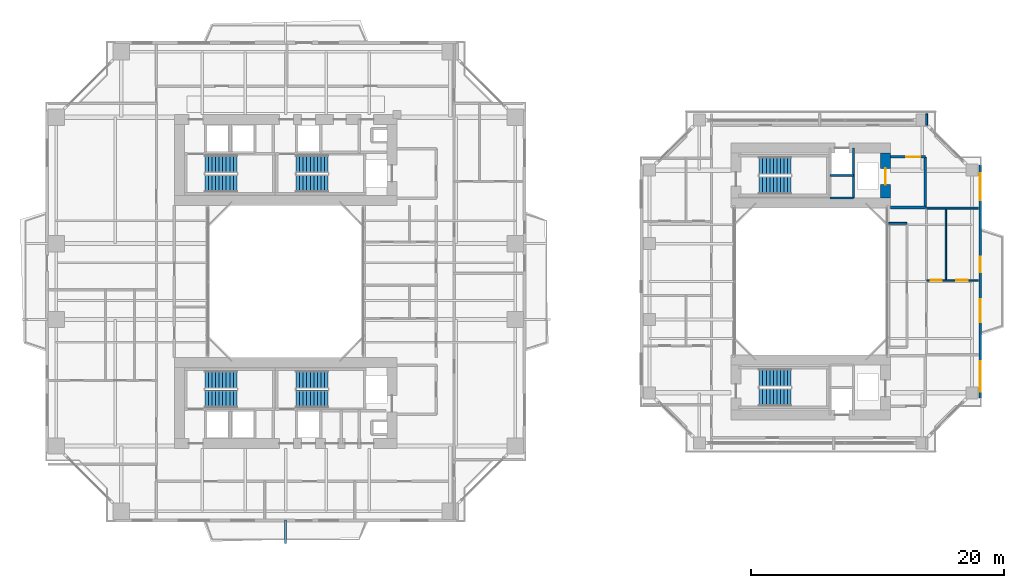
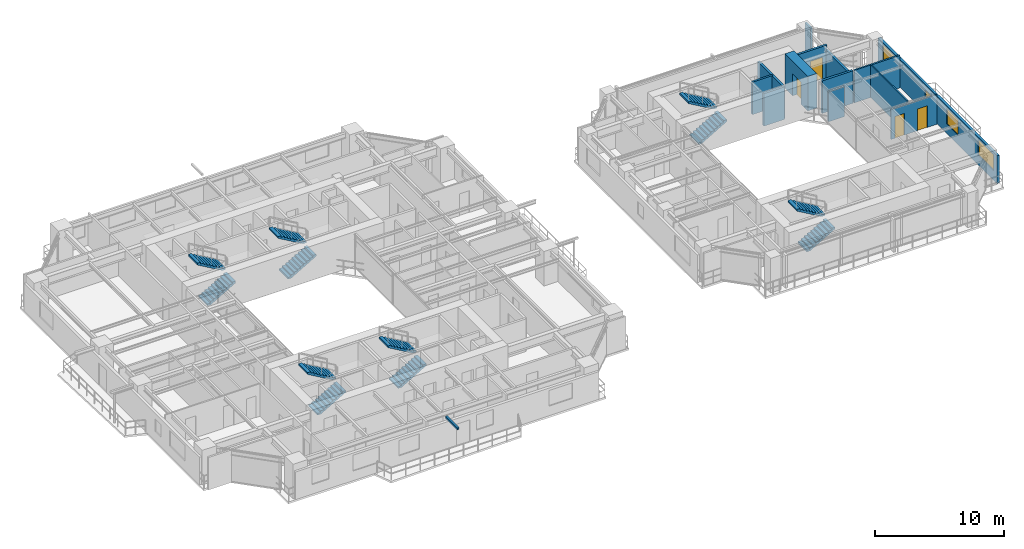
# One storey, part 18 of 23: 13 walls, 12 stair flights, 5 doors, 3 windows, 1 discrete accessory, 8 openings, 6 elements without a shape of their own.
"""IFC4 building model written with IfcOpenShell, lengths in metres."""

import ifcopenshell
import ifcopenshell.guid

model = None  # the IFC model being written
_history = None  # IfcOwnerHistory: only IFC2X3 demands one
_inside = {}  # id of a spatial element -> (the spatial element, [elements in it])
_under = {}  # id of a project, library or spatial element -> (it, [spatial elements below it])
_declared = {}  # id of a project -> (the project, [libraries it declares])
_typed = {}  # id of a type object -> (the type object, [elements of that type])
_made_of = {}  # id of a material, layer set ... -> (it, [elements and type objects made of it])


def new_model(schema):
    """Start an empty IFC model of exactly this schema.

    Asked for "IFC4X3", IfcOpenShell would pick the latest addendum, in which some entities
    have other attributes; the version numbers below select the first issue.
    IFC2X3 requires an IfcOwnerHistory on every rooted entity: one is made here for all.
    """
    global model, _history
    if schema == "IFC4X3":
        model = ifcopenshell.file(schema_version=(4, 3, 0, 0))
    else:
        model = ifcopenshell.file(schema=schema)
    _inside.clear()
    _under.clear()
    _declared.clear()
    _typed.clear()
    _made_of.clear()
    _history = None
    if model.schema == "IFC2X3":
        org = make("IfcOrganization", Name="unknown")
        user = make(
            "IfcPersonAndOrganization",
            ThePerson=make("IfcPerson", FamilyName="unknown"),
            TheOrganization=org,
        )
        app = make(
            "IfcApplication",
            ApplicationDeveloper=org,
            Version="unknown",
            ApplicationFullName="unknown",
            ApplicationIdentifier="unknown",
        )
        _history = make(
            "IfcOwnerHistory",
            OwningUser=user,
            OwningApplication=app,
            ChangeAction="ADDED",
            CreationDate=0,
        )
    return model


def make(cls, **values):
    """One entity of the class cls with the attributes given. An attribute that is None is left unset."""
    return model.create_entity(
        cls, **{name: value for name, value in values.items() if value is not None}
    )


def rooted(cls, **values):
    """An entity with a GlobalId (a new one), such as an element, a storey or a relation."""
    return make(cls, GlobalId=ifcopenshell.guid.new(), OwnerHistory=_history, **values)


def si_unit(unit_type, name, prefix=None):
    """IfcSIUnit, for example si_unit("LENGTHUNIT", "METRE", prefix="MILLI")."""
    return make("IfcSIUnit", UnitType=unit_type, Prefix=prefix, Name=name)


def assignment(units):
    """IfcUnitAssignment: the units of a project."""
    return None if units is None else make("IfcUnitAssignment", Units=units)


def point(xyz):
    """IfcCartesianPoint."""
    return None if xyz is None else make("IfcCartesianPoint", Coordinates=xyz)


def direction(xyz):
    """IfcDirection."""
    return None if xyz is None else make("IfcDirection", DirectionRatios=xyz)


def frame(location, z_axis=None, x_axis=None):
    """IfcAxis2Placement3D, a coordinate frame: its origin and axes. An axis left out is left unset."""
    return make(
        "IfcAxis2Placement3D",
        Location=point(location),
        Axis=direction(z_axis),
        RefDirection=direction(x_axis),
    )


def frame_2d(location, x_axis=None):
    """IfcAxis2Placement2D, a coordinate frame in the plane: its origin and x axis."""
    return make(
        "IfcAxis2Placement2D", Location=point(location), RefDirection=direction(x_axis)
    )


def origin():
    """The frame at (0, 0, 0) with its axes left unset."""
    return frame((0.0, 0.0, 0.0))


def origin_2d():
    """The frame at (0, 0) in the plane with its x axis left unset."""
    return frame_2d((0.0, 0.0))


def place(relative_to, where):
    """IfcLocalPlacement: puts the frame where relative to a parent placement (None: the world)."""
    return make(
        "IfcLocalPlacement", PlacementRelTo=relative_to, RelativePlacement=where
    )


def context(
    kind, dimensions, precision=None, world=None, true_north=None, identifier=None
):
    """IfcGeometricRepresentationContext, for example the 3D "Model" context."""
    return make(
        "IfcGeometricRepresentationContext",
        ContextIdentifier=identifier,
        ContextType=kind,
        CoordinateSpaceDimension=dimensions,
        Precision=precision,
        WorldCoordinateSystem=world,
        TrueNorth=true_north,
    )


def subcontext(parent, identifier, kind, view, scale=None):
    """IfcGeometricRepresentationSubContext, for example "Body" below "Model"."""
    return make(
        "IfcGeometricRepresentationSubContext",
        ContextIdentifier=identifier,
        ContextType=kind,
        ParentContext=parent,
        TargetScale=scale,
        TargetView=view,
    )


def project(units=None, contexts=None):
    """IfcProject with its units and contexts."""
    return rooted(
        "IfcProject",
        Name="project",
        RepresentationContexts=contexts,
        UnitsInContext=assignment(units),
    )


def spatial(cls, under=None, at=None, **own):
    """A site, building, storey or space (cls), placed at a placement, below another one or the project."""
    s = rooted(cls, ObjectPlacement=at, **own)
    if under is not None:
        _under.setdefault(under.id(), (under, []))[1].append(s)
    return s


def polyline(points):
    """IfcPolyline through the points."""
    return make("IfcPolyline", Points=[point(p) for p in points])


def profile(cls, at=None, kind="AREA", **sizes):
    """A parametric profile (cls). Its sizes go by their IFC names, for example OverallWidth=200.0."""
    return make(cls, ProfileType=kind, Position=at, **sizes)


def rectangle(**sizes):
    """IfcRectangleProfileDef."""
    return profile("IfcRectangleProfileDef", **sizes)


def outline(outer, holes=None, kind="AREA"):
    """IfcArbitraryClosedProfileDef: a profile drawn as a closed curve; with holes, ...WithVoids."""
    if holes is None:
        return make("IfcArbitraryClosedProfileDef", ProfileType=kind, OuterCurve=outer)
    return make(
        "IfcArbitraryProfileDefWithVoids",
        ProfileType=kind,
        OuterCurve=outer,
        InnerCurves=holes,
    )


def extrude(swept, where, along, depth):
    """IfcExtrudedAreaSolid: the profile swept, set in the frame where, extruded along a direction by depth."""
    return make(
        "IfcExtrudedAreaSolid",
        SweptArea=swept,
        Position=where,
        ExtrudedDirection=direction(along),
        Depth=depth,
    )


def shape(context_of_items, identifier, shape_type, items):
    """IfcShapeRepresentation: the items that make up one representation, for example the "Body"."""
    return make(
        "IfcShapeRepresentation",
        ContextOfItems=context_of_items,
        RepresentationIdentifier=identifier,
        RepresentationType=shape_type,
        Items=items,
    )


def source(mapping_origin, context_of_items, identifier, shape_type, items):
    """IfcRepresentationMap: a shape defined once, which mapped items show again and again."""
    return make(
        "IfcRepresentationMap",
        MappingOrigin=mapping_origin,
        MappedRepresentation=shape(context_of_items, identifier, shape_type, items),
    )


def transform(
    local_origin,
    x_axis=None,
    y_axis=None,
    z_axis=None,
    scale=None,
    scale2=None,
    scale3=None,
    uniform=True,
):
    """IfcCartesianTransformationOperator3D, or its non-uniform kind. x_axis, y_axis, z_axis: its Axis1, 2, 3."""
    if uniform:
        return make(
            "IfcCartesianTransformationOperator3D",
            Axis1=direction(x_axis),
            Axis2=direction(y_axis),
            LocalOrigin=point(local_origin),
            Scale=scale,
            Axis3=direction(z_axis),
        )
    return make(
        "IfcCartesianTransformationOperator3DnonUniform",
        Axis1=direction(x_axis),
        Axis2=direction(y_axis),
        LocalOrigin=point(local_origin),
        Scale=scale,
        Axis3=direction(z_axis),
        Scale2=scale2,
        Scale3=scale3,
    )


def mapped(mapping_source, mapping_target):
    """IfcMappedItem: shows the shape of a source again, moved by a transform."""
    return make(
        "IfcMappedItem", MappingSource=mapping_source, MappingTarget=mapping_target
    )


def material(Name=None, Category=None):
    """IfcMaterial."""
    return make("IfcMaterial", Name=Name, Category=Category)


def layer(
    of_material, thickness, ventilated=None, Name=None, Category=None, Priority=None
):
    """IfcMaterialLayer: one layer of a wall or slab, of a material (None: an air gap)."""
    return make(
        "IfcMaterialLayer",
        Material=of_material,
        LayerThickness=thickness,
        IsVentilated=ventilated,
        Name=Name,
        Category=Category,
        Priority=Priority,
    )


def layer_set(layers, Name=None):
    """IfcMaterialLayerSet."""
    return make("IfcMaterialLayerSet", MaterialLayers=layers, LayerSetName=Name)


def made_of(thing, what):
    """Note that an element or type object is made of a material, layer set ...; save() writes the relation."""
    if what is not None:
        _made_of.setdefault(what.id(), (what, []))[1].append(thing)
    return thing


def type_object(cls, material=None, **own):
    """A type object (cls), such as IfcWallType, which elements share."""
    return made_of(rooted(cls, **own), material)


def element(
    cls,
    number,
    at=None,
    inside=None,
    cuts=None,
    type_object=None,
    material=None,
    context=None,
    identifier="Body",
    shape_type=None,
    held_by="IfcProductDefinitionShape",
    body=None,
    shapes=None,
    **own,
):
    """One element of the class cls, such as IfcWall. Its Tag is "e" and its number.

    at: its placement. inside: the storey or other place that contains it. cuts: it is an
    opening in that element (IfcRelVoidsElement). A single representation is given by context,
    identifier, shape_type and body (its items); several are given by shapes. held_by: the class
    of the entity that holds the representations. save() writes the other relations.
    """
    e = rooted(cls, Tag="e%d" % number, ObjectPlacement=at, **own)
    if body is not None:
        shapes = [shape(context, identifier, shape_type, body)]
    if shapes is not None:
        e.Representation = make(held_by, Representations=shapes)
    if inside is not None:
        _inside.setdefault(inside.id(), (inside, []))[1].append(e)
    if cuts is not None:
        rooted(
            "IfcRelVoidsElement", RelatingBuildingElement=cuts, RelatedOpeningElement=e
        )
    if type_object is not None:
        _typed.setdefault(type_object.id(), (type_object, []))[1].append(e)
    return made_of(e, material)


def fill(opening, filler):
    """IfcRelFillsElement: the door or window that sits in an opening."""
    return rooted(
        "IfcRelFillsElement",
        RelatingOpeningElement=opening,
        RelatedBuildingElement=filler,
    )


def aggregate(whole, parts):
    """IfcRelAggregates: a whole, such as a stair, and the parts it consists of."""
    return rooted("IfcRelAggregates", RelatingObject=whole, RelatedObjects=parts)


def save(model, path):
    """Write the relations noted so far, then the file.

    IfcRelAggregates (storeys below a building ...), IfcRelContainedInSpatialStructure (elements
    in a storey), IfcRelDefinesByType, IfcRelAssociatesMaterial and IfcRelDeclares: one each for
    every whole, place, type object, material and project.
    """
    for whole, parts in _under.values():
        aggregate(whole, parts)
    for where, things in _inside.values():
        rooted(
            "IfcRelContainedInSpatialStructure",
            RelatedElements=things,
            RelatingStructure=where,
        )
    for kind, things in _typed.values():
        rooted("IfcRelDefinesByType", RelatedObjects=things, RelatingType=kind)
    for what, things in _made_of.values():
        rooted("IfcRelAssociatesMaterial", RelatedObjects=things, RelatingMaterial=what)
    for by, libraries in _declared.values():
        rooted("IfcRelDeclares", RelatingContext=by, RelatedDefinitions=libraries)
    model.write(path)


model = new_model("IFC4")

# Units and contexts
model_context = context("Model", 3, precision=1e-05, world=origin(), true_north=direction((0.0, 1.0)))
body_context = subcontext(model_context, "Body", "Model", "MODEL_VIEW")
ifc_project = project(units=[si_unit("LENGTHUNIT", "METRE"), si_unit("AREAUNIT", "SQUARE_METRE"), si_unit("VOLUMEUNIT", "CUBIC_METRE"), si_unit("PLANEANGLEUNIT", "RADIAN"), si_unit("MASSUNIT", "GRAM", prefix="KILO"), si_unit("THERMODYNAMICTEMPERATUREUNIT", "KELVIN"), si_unit("POWERUNIT", "WATT")], contexts=[model_context])

# Site, building, storey
site_placement = place(None, origin())
site = spatial("IfcSite", under=ifc_project, at=site_placement, CompositionType="ELEMENT")
building_placement = place(site_placement, origin())
building = spatial("IfcBuilding", under=site, at=building_placement, Name="Qiaomeng Ring Towers", CompositionType="ELEMENT")
storey_placement = place(building_placement, frame((0.0, 0.0, 26.25)))
storey = spatial("IfcBuildingStorey", under=building, at=storey_placement, Name="L06", CompositionType="ELEMENT", Elevation=26.25)

# Wall, openings, windows, door
ifc_material_1 = material(Name="Precast concrete C40", Category="concrete")
ifc_layer_1 = layer(ifc_material_1, 0.219970703125, Name="Precast concrete C40")
ifc_layer_set_1 = layer_set([ifc_layer_1], Name="Precast concrete C40")
wall_type_1 = type_object("IfcWallType", Name="ARC-WL-EW2", PredefinedType="STANDARD", material=ifc_layer_set_1)
wall_1_placement = place(storey_placement, frame((73.889892578125, 13.800048828125, 0.0), z_axis=(0.0, 0.0, 1.0), x_axis=(0.0, 1.0, 0.0)))
wall_1 = element("IfcWall", 1, at=wall_1_placement, inside=storey, type_object=wall_type_1, Name="L06 Companion East Wall", PredefinedType="STANDARD", context=body_context, shape_type="SweptSolid", body=[
    extrude(rectangle(XDim=18.39990234375, YDim=0.219970703125, at=frame_2d((9.199951171875, 0.0))), origin(), (0.0, 0.0, 1.0), 2.610107421875),
])
opening_1_placement = place(wall_1_placement, frame((9.949951171875, 0.0, 0.0)))
opening_1 = element("IfcOpeningElement", 2, at=opening_1_placement, cuts=wall_1, Name="Opening BD1", PredefinedType="OPENING", context=body_context, shape_type="SweptSolid", body=[
    extrude(rectangle(XDim=1.199951171875, YDim=2.10009765625, at=frame_2d((0.60009765625, 1.050048828125))), frame((0.0, 0.119873046875, 0.0), z_axis=(0.0, -1.0, 0.0), x_axis=(1.0, 0.0, 0.0)), (0.0, 0.0, 1.0), 0.239990234375),
])
opening_2_placement = place(wall_1_placement, frame((0.507568359375, 0.0, 0.89990234375)))
opening_2 = element("IfcOpeningElement", 3, at=opening_2_placement, cuts=wall_1, Name="Opening WN6", PredefinedType="OPENING", context=body_context, shape_type="SweptSolid", body=[
    extrude(rectangle(XDim=2.39990234375, YDim=1.5, at=frame_2d((1.199951171875, 0.75))), frame((0.0, 0.119873046875, 0.0), z_axis=(0.0, -1.0, 0.0), x_axis=(1.0, 0.0, 0.0)), (0.0, 0.0, 1.0), 0.239990234375),
])
opening_3_placement = place(wall_1_placement, frame((6.0, 0.0, 0.89990234375)))
opening_3 = element("IfcOpeningElement", 4, at=opening_3_placement, cuts=wall_1, Name="Opening WN1", PredefinedType="OPENING", context=body_context, shape_type="SweptSolid", body=[
    extrude(rectangle(XDim=1.800048828125, YDim=1.449951171875, at=frame_2d((0.89990234375, 0.72509765625))), frame((0.0, 0.119873046875, 0.0), z_axis=(0.0, -1.0, 0.0), x_axis=(1.0, 0.0, 0.0)), (0.0, 0.0, 1.0), 0.239990234375),
])
opening_4_placement = place(wall_1_placement, frame((15.642578125, 0.0, 0.89990234375)))
opening_4 = element("IfcOpeningElement", 5, at=opening_4_placement, cuts=wall_1, Name="Opening WN4", PredefinedType="OPENING", context=body_context, shape_type="SweptSolid", body=[
    extrude(rectangle(XDim=2.10009765625, YDim=1.5, at=frame_2d((1.050048828125, 0.75))), frame((0.0, 0.119873046875, 0.0), z_axis=(0.0, -1.0, 0.0), x_axis=(1.0, 0.0, 0.0)), (0.0, 0.0, 1.0), 0.239990234375),
])
ifc_material_2 = material(Name="Low-E dark-grey laminated double glazing", Category="glass")
window_type_1 = type_object("IfcWindowType", Name="ARC-WN-4", PartitioningType="TRIPLE_PANEL_VERTICAL", PredefinedType="WINDOW", material=ifc_material_2)
shared_shape_1 = source(origin(), body_context, "Body", "SweptSolid", [
    extrude(rectangle(XDim=2.10009765625, YDim=1.5, at=frame_2d((1.050048828125, 0.75))), frame((0.0, 0.030029296875, 0.0), z_axis=(0.0, -1.0, 0.0), x_axis=(1.0, 0.0, 0.0)), (0.0, 0.0, 1.0), 0.06005859375),
])
window_1_placement = place(opening_4_placement, origin())
window_1 = element("IfcWindow", 6, at=window_1_placement, inside=storey, type_object=window_type_1, Name="L06 Exterior Window WN4", OverallHeight=1.5, OverallWidth=2.10009765625, PartitioningType="TRIPLE_PANEL_VERTICAL", PredefinedType="WINDOW", context=body_context, shape_type="MappedRepresentation", body=[
    mapped(shared_shape_1, transform((0.0, 0.0, 0.0), x_axis=(1.0, 0.0, 0.0), y_axis=(0.0, 1.0, 0.0), z_axis=(0.0, 0.0, 1.0), scale=1.0)),
])
fill(opening_4, window_1)
window_type_2 = type_object("IfcWindowType", Name="ARC-WN-1", PartitioningType="DOUBLE_PANEL_VERTICAL", PredefinedType="WINDOW", material=ifc_material_2)
shared_shape_2 = source(origin(), body_context, "Body", "SweptSolid", [
    extrude(rectangle(XDim=1.800048828125, YDim=1.449951171875, at=frame_2d((0.89990234375, 0.72509765625))), frame((0.0, 0.030029296875, 0.0), z_axis=(0.0, -1.0, 0.0), x_axis=(1.0, 0.0, 0.0)), (0.0, 0.0, 1.0), 0.06005859375),
])
window_2_placement = place(opening_3_placement, origin())
window_2 = element("IfcWindow", 7, at=window_2_placement, inside=storey, type_object=window_type_2, Name="L06 Exterior Window WN1", OverallHeight=1.449951171875, OverallWidth=1.800048828125, PartitioningType="DOUBLE_PANEL_VERTICAL", PredefinedType="WINDOW", context=body_context, shape_type="MappedRepresentation", body=[
    mapped(shared_shape_2, transform((0.0, 0.0, 0.0), x_axis=(1.0, 0.0, 0.0), y_axis=(0.0, 1.0, 0.0), z_axis=(0.0, 0.0, 1.0), scale=1.0)),
])
fill(opening_3, window_2)
door_type_1 = type_object("IfcDoorType", Name="ARC-DR-BD1", OperationType="NOTDEFINED", PredefinedType="DOOR", material=ifc_material_2)
shared_shape_3 = source(origin(), body_context, "Body", "SweptSolid", [
    extrude(rectangle(XDim=1.199951171875, YDim=2.10009765625, at=frame_2d((0.60009765625, 1.050048828125))), frame((0.0, 0.02490234375, 0.0), z_axis=(0.0, -1.0, 0.0), x_axis=(1.0, 0.0, 0.0)), (0.0, 0.0, 1.0), 0.050048828125),
])
door_1_placement = place(opening_1_placement, origin())
door_1 = element("IfcDoor", 8, at=door_1_placement, inside=storey, type_object=door_type_1, Name="L06 Companion East Balcony Door", OperationType="SINGLE_SWING_LEFT", OverallHeight=2.10009765625, OverallWidth=1.199951171875, PredefinedType="DOOR", context=body_context, shape_type="MappedRepresentation", body=[
    mapped(shared_shape_3, transform((0.0, 0.0, 0.0), x_axis=(1.0, 0.0, 0.0), y_axis=(0.0, 1.0, 0.0), z_axis=(0.0, 0.0, 1.0), scale=1.0)),
])
fill(opening_1, door_1)
window_type_3 = type_object("IfcWindowType", Name="ARC-WN-6", PartitioningType="TRIPLE_PANEL_VERTICAL", PredefinedType="WINDOW", material=ifc_material_2)
shared_shape_4 = source(origin(), body_context, "Body", "SweptSolid", [
    extrude(rectangle(XDim=2.39990234375, YDim=1.5, at=frame_2d((1.199951171875, 0.75))), frame((0.0, 0.030029296875, 0.0), z_axis=(0.0, -1.0, 0.0), x_axis=(1.0, 0.0, 0.0)), (0.0, 0.0, 1.0), 0.06005859375),
])
window_3_placement = place(opening_2_placement, origin())
window_3 = element("IfcWindow", 9, at=window_3_placement, inside=storey, type_object=window_type_3, Name="L06 Exterior Window WN6", OverallHeight=1.5, OverallWidth=2.39990234375, PartitioningType="TRIPLE_PANEL_VERTICAL", PredefinedType="WINDOW", context=body_context, shape_type="MappedRepresentation", body=[
    mapped(shared_shape_4, transform((0.0, 0.0, 0.0), x_axis=(1.0, 0.0, 0.0), y_axis=(0.0, 1.0, 0.0), z_axis=(0.0, 0.0, 1.0), scale=1.0)),
])
fill(opening_2, window_3)

# Walls
ifc_material_3 = material(Name="Autoclaved aerated concrete block", Category="concrete")
ifc_layer_2 = layer(ifc_material_3, 0.199951171875, Name="Autoclaved aerated concrete block")
ifc_layer_set_2 = layer_set([ifc_layer_2], Name="Autoclaved aerated concrete block")
wall_type_2 = type_object("IfcWallType", Name="ARC-WL-PW1", PredefinedType="PARTITIONING", material=ifc_layer_set_2)
wall_2_placement = place(storey_placement, frame((66.800048828125, 28.85009765625, 0.0), z_axis=(0.0, 0.0, 1.0), x_axis=(1.0, 0.0, 0.0)))
element("IfcWall", 10, at=wall_2_placement, inside=storey, type_object=wall_type_2, Name="L06 Interior Wall PW1", PredefinedType="PARTITIONING", context=body_context, shape_type="SweptSolid", body=[
    extrude(rectangle(XDim=2.75, YDim=0.199951171875, at=frame_2d((1.375, 0.0))), origin(), (0.0, 0.0, 1.0), 3.070068359375),
])
wall_3_placement = place(storey_placement, frame((69.550048828125, 28.85009765625, 0.0), z_axis=(0.0, 0.0, 1.0), x_axis=(0.0, 1.0, 0.0)))
element("IfcWall", 11, at=wall_3_placement, inside=storey, type_object=wall_type_2, Name="L06 Interior Wall PW1", PredefinedType="PARTITIONING", context=body_context, shape_type="SweptSolid", body=[
    extrude(rectangle(XDim=4.0, YDim=0.199951171875, at=frame_2d((2.0, 0.0))), origin(), (0.0, 0.0, 1.0), 2.614990234375),
])

# Wall, opening, door
wall_4_placement = place(storey_placement, frame((66.800048828125, 32.85009765625, 0.0), z_axis=(0.0, 0.0, 1.0), x_axis=(1.0, 0.0, 0.0)))
wall_4 = element("IfcWall", 12, at=wall_4_placement, inside=storey, type_object=wall_type_2, Name="L06 Interior Wall PW1", PredefinedType="PARTITIONING", context=body_context, shape_type="SweptSolid", body=[
    extrude(rectangle(XDim=2.75, YDim=0.199951171875, at=frame_2d((1.375, 0.0))), origin(), (0.0, 0.0, 1.0), 3.070068359375),
])
opening_5_placement = place(wall_4_placement, frame((1.25, 0.0, 0.0)))
opening_5 = element("IfcOpeningElement", 13, at=opening_5_placement, cuts=wall_4, Name="Opening FD3", PredefinedType="OPENING", context=body_context, shape_type="SweptSolid", body=[
    extrude(rectangle(XDim=1.10009765625, YDim=2.050048828125, at=frame_2d((0.550048828125, 1.02490234375))), frame((0.0, 0.10986328125, 0.0), z_axis=(0.0, -1.0, 0.0), x_axis=(1.0, 0.0, 0.0)), (0.0, 0.0, 1.0), 0.219970703125),
])
ifc_material_4 = material(Name="Galvanised steel", Category="steel")
door_type_2 = type_object("IfcDoorType", Name="ARC-DR-FD3", OperationType="NOTDEFINED", PredefinedType="DOOR", material=ifc_material_4)
shared_shape_5 = source(origin(), body_context, "Body", "SweptSolid", [
    extrude(rectangle(XDim=1.10009765625, YDim=2.050048828125, at=frame_2d((0.550048828125, 1.02490234375))), frame((0.0, 0.02490234375, 0.0), z_axis=(0.0, -1.0, 0.0), x_axis=(1.0, 0.0, 0.0)), (0.0, 0.0, 1.0), 0.050048828125),
])
door_2_placement = place(opening_5_placement, origin())
door_2 = element("IfcDoor", 14, at=door_2_placement, inside=storey, type_object=door_type_2, Name="L06 Door FD3", OperationType="SINGLE_SWING_LEFT", OverallHeight=2.050048828125, OverallWidth=1.10009765625, PredefinedType="DOOR", context=body_context, shape_type="MappedRepresentation", body=[
    mapped(shared_shape_5, transform((0.0, 0.0, 0.0), x_axis=(1.0, 0.0, 0.0), y_axis=(0.0, 1.0, 0.0), z_axis=(0.0, 0.0, 1.0), scale=1.0)),
])
fill(opening_5, door_2)

# Walls
ifc_material_5 = material(Name="Gypsum fireboard steel-stud partition", Category="steel")
ifc_layer_3 = layer(ifc_material_5, 0.14990234375, Name="Gypsum fireboard steel-stud partition")
ifc_layer_set_3 = layer_set([ifc_layer_3], Name="Gypsum fireboard steel-stud partition")
wall_type_3 = type_object("IfcWallType", Name="ARC-WL-PW3", PredefinedType="PARTITIONING", material=ifc_layer_set_3)
wall_5_placement = place(storey_placement, frame((69.64990234375, 28.800048828125, 0.0), z_axis=(0.0, 0.0, 1.0), x_axis=(1.0, 0.0, 0.0)))
element("IfcWall", 15, at=wall_5_placement, inside=storey, type_object=wall_type_3, Name="L06 Interior Wall PW3", PredefinedType="PARTITIONING", context=body_context, shape_type="SweptSolid", body=[
    extrude(rectangle(XDim=4.10009765625, YDim=0.14990234375, at=frame_2d((2.050048828125, 0.0))), origin(), (0.0, 0.0, 1.0), 3.070068359375),
])
wall_6_placement = place(storey_placement, frame((66.64990234375, 27.60009765625, 0.0), z_axis=(0.0, 0.0, 1.0), x_axis=(1.0, 0.0, 0.0)))
element("IfcWall", 16, at=wall_6_placement, inside=storey, type_object=wall_type_3, Name="L06 Interior Wall PW3", PredefinedType="PARTITIONING", context=body_context, shape_type="SweptSolid", body=[
    extrude(rectangle(XDim=1.4501953125, YDim=0.14990234375, at=frame_2d((0.72509765625, 0.0))), origin(), (0.0, 0.0, 1.0), 2.81494140625),
])
wall_7_placement = place(storey_placement, frame((69.64990234375, 35.35009765625, 0.0), z_axis=(0.0, 0.0, 1.0), x_axis=(0.0, 1.0, 0.0)))
element("IfcWall", 17, at=wall_7_placement, inside=storey, type_object=wall_type_3, Name="L06 Interior Wall PW3", PredefinedType="PARTITIONING", context=body_context, shape_type="SweptSolid", body=[
    extrude(rectangle(XDim=0.89990234375, YDim=0.14990234375, at=frame_2d((0.449951171875, 0.0))), origin(), (0.0, 0.0, 1.0), 3.070068359375),
])

# Wall, openings, doors
ifc_material_6 = material(Name="Moisture-resistant gypsum steel-stud partition", Category="steel")
ifc_layer_4 = layer(ifc_material_6, 0.1201171875, Name="Moisture-resistant gypsum steel-stud partition")
ifc_layer_set_4 = layer_set([ifc_layer_4], Name="Moisture-resistant gypsum steel-stud partition")
wall_type_4 = type_object("IfcWallType", Name="ARC-WL-PW4", PredefinedType="PLUMBINGWALL", material=ifc_layer_set_4)
wall_8_placement = place(storey_placement, frame((69.64990234375, 23.10009765625, 0.0), z_axis=(0.0, 0.0, 1.0), x_axis=(1.0, 0.0, 0.0)))
wall_8 = element("IfcWall", 18, at=wall_8_placement, inside=storey, type_object=wall_type_4, Name="L06 Interior Wall PW4", PredefinedType="PLUMBINGWALL", context=body_context, shape_type="SweptSolid", body=[
    extrude(rectangle(XDim=4.10009765625, YDim=0.1201171875, at=frame_2d((2.050048828125, 0.0))), origin(), (0.0, 0.0, 1.0), 2.81494140625),
])
opening_6_placement = place(wall_8_placement, frame((0.344970703125, 0.0, 0.0)))
opening_6 = element("IfcOpeningElement", 19, at=opening_6_placement, cuts=wall_8, Name="Opening ID2", PredefinedType="OPENING", context=body_context, shape_type="SweptSolid", body=[
    extrude(rectangle(XDim=0.85009765625, YDim=2.050048828125, at=frame_2d((0.425048828125, 1.02490234375))), frame((0.0, 0.070068359375, 0.0), z_axis=(0.0, -1.0, 0.0), x_axis=(1.0, 0.0, 0.0)), (0.0, 0.0, 1.0), 0.14013671875),
])
opening_7_placement = place(wall_8_placement, frame((2.35009765625, 0.0, 0.0)))
opening_7 = element("IfcOpeningElement", 20, at=opening_7_placement, cuts=wall_8, Name="Opening ID1", PredefinedType="OPENING", context=body_context, shape_type="SweptSolid", body=[
    extrude(rectangle(XDim=0.89990234375, YDim=2.050048828125, at=frame_2d((0.449951171875, 1.02490234375))), frame((0.0, 0.070068359375, 0.0), z_axis=(0.0, -1.0, 0.0), x_axis=(1.0, 0.0, 0.0)), (0.0, 0.0, 1.0), 0.14013671875),
])
ifc_material_7 = material(Name="Moisture-resistant engineered timber", Category="wood")
door_type_3 = type_object("IfcDoorType", Name="ARC-DR-ID2", OperationType="NOTDEFINED", PredefinedType="DOOR", material=ifc_material_7)
shared_shape_6 = source(origin(), body_context, "Body", "SweptSolid", [
    extrude(rectangle(XDim=0.85009765625, YDim=2.050048828125, at=frame_2d((0.425048828125, 1.02490234375))), frame((0.0, 0.02490234375, 0.0), z_axis=(0.0, -1.0, 0.0), x_axis=(1.0, 0.0, 0.0)), (0.0, 0.0, 1.0), 0.050048828125),
])
door_3_placement = place(opening_6_placement, origin())
door_3 = element("IfcDoor", 21, at=door_3_placement, inside=storey, type_object=door_type_3, Name="L06 Door ID2", OperationType="SINGLE_SWING_LEFT", OverallHeight=2.050048828125, OverallWidth=0.85009765625, PredefinedType="DOOR", context=body_context, shape_type="MappedRepresentation", body=[
    mapped(shared_shape_6, transform((0.0, 0.0, 0.0), x_axis=(1.0, 0.0, 0.0), y_axis=(0.0, 1.0, 0.0), z_axis=(0.0, 0.0, 1.0), scale=1.0)),
])
fill(opening_6, door_3)
ifc_material_8 = material(Name="Engineered oak timber", Category="wood")
door_type_4 = type_object("IfcDoorType", Name="ARC-DR-ID1", OperationType="NOTDEFINED", PredefinedType="DOOR", material=ifc_material_8)
shared_shape_7 = source(origin(), body_context, "Body", "SweptSolid", [
    extrude(rectangle(XDim=0.89990234375, YDim=2.050048828125, at=frame_2d((0.449951171875, 1.02490234375))), frame((0.0, 0.02490234375, 0.0), z_axis=(0.0, -1.0, 0.0), x_axis=(1.0, 0.0, 0.0)), (0.0, 0.0, 1.0), 0.050048828125),
])
door_4_placement = place(opening_7_placement, origin())
door_4 = element("IfcDoor", 22, at=door_4_placement, inside=storey, type_object=door_type_4, Name="L06 Door ID1", OperationType="SINGLE_SWING_RIGHT", OverallHeight=2.050048828125, OverallWidth=0.89990234375, PredefinedType="DOOR", context=body_context, shape_type="MappedRepresentation", body=[
    mapped(shared_shape_7, transform((0.0, 0.0, 0.0), x_axis=(1.0, 0.0, 0.0), y_axis=(0.0, 1.0, 0.0), z_axis=(0.0, 0.0, 1.0), scale=1.0)),
])
fill(opening_7, door_4)

# Walls
wall_9_placement = place(storey_placement, frame((71.169921875, 23.10009765625, 0.0), z_axis=(0.0, 0.0, 1.0), x_axis=(0.0, 1.0, 0.0)))
element("IfcWall", 23, at=wall_9_placement, inside=storey, type_object=wall_type_4, Name="L06 Interior Wall PW4", PredefinedType="PLUMBINGWALL", context=body_context, shape_type="SweptSolid", body=[
    extrude(rectangle(XDim=5.699951171875, YDim=0.1201171875, at=frame_2d((2.85009765625, 0.0))), origin(), (0.0, 0.0, 1.0), 3.070068359375),
])
ifc_material_9 = material(Name="Concrete C40", Category="concrete")
ifc_layer_5 = layer(ifc_material_9, 0.199951171875, Name="Concrete C40")
ifc_layer_set_5 = layer_set([ifc_layer_5], Name="Concrete C40")
wall_type_5 = type_object("IfcWallType", Name="STR-WL-STSHAFT", PredefinedType="SHEAR", material=ifc_layer_set_5)
wall_10_placement = place(storey_placement, frame((63.8798828125, 29.60009765625, 0.0), z_axis=(0.0, 0.0, 1.0), x_axis=(0.0, 1.0, 0.0)))
element("IfcWall", 24, at=wall_10_placement, inside=storey, type_object=wall_type_5, Name="L06 Companion Lift Shaft East Wall N", PredefinedType="SHEAR", context=body_context, shape_type="SweptSolid", body=[
    extrude(rectangle(XDim=3.949951171875, YDim=0.179931640625, at=frame_2d((1.97509765625, 0.0))), origin(), (0.0, 0.0, 1.0), 3.070068359375),
])
for number, where, z_axis, x_axis, name in (
    (25, (62.02001953125, 31.3798828125, 0.0), (0.0, 0.0, 1.0), (1.0, 0.0, 0.0), "L06 Companion Lift Shaft Divider Wall N"),
    (26, (62.02001953125, 29.60009765625, 0.0), (0.0, 0.0, 1.0), (1.0, 0.0, 0.0), "L06 Companion Riser Shaft Back Wall N"),
):
    element("IfcWall", number, at=place(storey_placement, frame(where, z_axis=z_axis, x_axis=x_axis)), inside=storey, type_object=wall_type_5, Name=name, PredefinedType="SHEAR", context=body_context, shape_type="SweptSolid", body=[
        extrude(rectangle(XDim=1.85986328125, YDim=0.179931640625, at=frame_2d((0.929931640625, 0.0))), origin(), (0.0, 0.0, 1.0), 3.070068359375),
    ])

# Wall, opening, door
ifc_material_10 = material(Name="Concrete C60", Category="concrete")
ifc_layer_6 = layer(ifc_material_10, 0.800048828125, Name="Concrete C60")
ifc_layer_set_6 = layer_set([ifc_layer_6], Name="Concrete C60")
wall_type_6 = type_object("IfcWallType", Name="STR-WL-SW1", PredefinedType="SHEAR", material=ifc_layer_set_6)
wall_11_placement = place(storey_placement, frame((66.39990234375, 29.60009765625, 0.0), z_axis=(0.0, 0.0, 1.0), x_axis=(0.0, 1.0, 0.0)))
wall_11 = element("IfcWall", 27, at=wall_11_placement, inside=storey, type_object=wall_type_6, Name="L06 T2NC east core shear wall", PredefinedType="SHEAR", context=body_context, shape_type="SweptSolid", body=[
    extrude(rectangle(XDim=3.5498046875, YDim=0.800048828125, at=frame_2d((1.77490234375, 0.0))), origin(), (0.0, 0.0, 1.0), 3.25),
])
opening_8_placement = place(wall_11_placement, frame((1.050048828125, 0.0, 0.0)))
opening_8 = element("IfcOpeningElement", 28, at=opening_8_placement, cuts=wall_11, Name="Opening LD2", PredefinedType="OPENING", context=body_context, shape_type="SweptSolid", body=[
    extrude(rectangle(XDim=1.300048828125, YDim=2.050048828125, at=frame_2d((0.64990234375, 1.02490234375))), frame((0.0, 0.409912109375, 0.0), z_axis=(0.0, -1.0, 0.0), x_axis=(1.0, 0.0, 0.0)), (0.0, 0.0, 1.0), 0.820068359375),
])
ifc_material_11 = material(Name="Stainless steel 316", Category="steel")
door_type_5 = type_object("IfcDoorType", Name="ARC-DR-LD2", OperationType="NOTDEFINED", PredefinedType="DOOR", material=ifc_material_11)
shared_shape_8 = source(origin(), body_context, "Body", "SweptSolid", [
    extrude(rectangle(XDim=1.300048828125, YDim=2.050048828125, at=frame_2d((0.64990234375, 1.02490234375))), frame((0.0, 0.02490234375, 0.0), z_axis=(0.0, -1.0, 0.0), x_axis=(1.0, 0.0, 0.0)), (0.0, 0.0, 1.0), 0.050048828125),
])
door_5_placement = place(opening_8_placement, origin())
door_5 = element("IfcDoor", 29, at=door_5_placement, inside=storey, type_object=door_type_5, Name="L06 Firefighting Lift FL3 Landing Door", OperationType="SLIDING_TO_LEFT", OverallHeight=2.050048828125, OverallWidth=1.300048828125, PredefinedType="DOOR", context=body_context, shape_type="MappedRepresentation", body=[
    mapped(shared_shape_8, transform((0.0, 0.0, 0.0), x_axis=(1.0, 0.0, 0.0), y_axis=(0.0, 1.0, 0.0), z_axis=(0.0, 0.0, 1.0), scale=1.0)),
])
fill(opening_8, door_5)

# Stair, stair flights
stair_type = type_object("IfcStairType", Name="ARC-ST-325", PredefinedType="HALF_TURN_STAIR", material=ifc_material_1)
stair_1_placement = place(storey_placement, origin())
stair_1 = element("IfcStair", 30, at=stair_1_placement, inside=storey, type_object=stair_type, Name="L06 Tower 1 North Stair 1", PredefinedType="HALF_TURN_STAIR")
stair_flight_type = type_object("IfcStairFlightType", Name="ARC-ST-325-FL", PredefinedType="STRAIGHT", material=ifc_material_1)
shared_shape_9 = source(origin(), body_context, "Body", "SweptSolid", [
    extrude(outline(polyline([(0.0, 0.0), (0.0, 0.16259765625), (0.280029296875, 0.16259765625), (0.280029296875, 0.324951171875), (0.56005859375, 0.324951171875), (0.56005859375, 0.487548828125), (0.840087890625, 0.487548828125), (0.840087890625, 0.64990234375), (1.1201171875, 0.64990234375), (1.1201171875, 0.8125), (1.39990234375, 0.8125), (1.39990234375, 0.97509765625), (1.679931640625, 0.97509765625), (1.679931640625, 1.137451171875), (1.9599609375, 1.137451171875), (1.9599609375, 1.300048828125), (2.239990234375, 1.300048828125), (2.239990234375, 1.46240234375), (2.52001953125, 1.46240234375), (2.52001953125, 1.625), (2.52001953125, 1.2890625), (0.298583984375, 0.0), (0.0, 0.0)])), frame((0.0, 0.699951171875, 0.0), z_axis=(0.0, -1.0, 0.0), x_axis=(1.0, 0.0, 0.0)), (0.0, 0.0, 1.0), 1.39990234375),
])
stair_flight_1_placement = place(storey_placement, frame((12.6201171875, 30.75, 0.0), z_axis=(0.0, 0.0, 1.0), x_axis=(1.0, 0.0, 0.0)))
stair_flight_1 = element("IfcStairFlight", 31, at=stair_flight_1_placement, type_object=stair_flight_type, Name="ST1 flight 1", NumberOfRisers=10, NumberOfTreads=9, PredefinedType="STRAIGHT", RiserHeight=0.1625, TreadLength=0.28, context=body_context, shape_type="MappedRepresentation", body=[
    mapped(shared_shape_9, transform((0.0, 0.0, 0.0), x_axis=(1.0, 0.0, 0.0), y_axis=(0.0, 1.0, 0.0), z_axis=(0.0, 0.0, 1.0), scale=1.0)),
])
stair_flight_2_placement = place(storey_placement, frame((15.139892578125, 32.2900390625, 1.625), z_axis=(0.0, 0.0, 1.0), x_axis=(-1.0, 0.0, 0.0)))
stair_flight_2 = element("IfcStairFlight", 32, at=stair_flight_2_placement, type_object=stair_flight_type, Name="ST1 flight 2", NumberOfRisers=10, NumberOfTreads=9, PredefinedType="STRAIGHT", RiserHeight=0.1625, TreadLength=0.28, context=body_context, shape_type="MappedRepresentation", body=[
    mapped(shared_shape_9, transform((0.0, 0.0, 0.0), x_axis=(1.0, 0.0, 0.0), y_axis=(0.0, 1.0, 0.0), z_axis=(0.0, 0.0, 1.0), scale=1.0)),
])
aggregate(stair_1, [stair_flight_1, stair_flight_2])

stair_2_placement = place(storey_placement, origin())
stair_2 = element("IfcStair", 33, at=stair_2_placement, inside=storey, type_object=stair_type, Name="L06 Tower 1 North Stair 2", PredefinedType="HALF_TURN_STAIR")
stair_flight_3_placement = place(storey_placement, frame((19.820068359375, 30.75, 0.0), z_axis=(0.0, 0.0, 1.0), x_axis=(1.0, 0.0, 0.0)))
stair_flight_3 = element("IfcStairFlight", 34, at=stair_flight_3_placement, type_object=stair_flight_type, Name="ST2 flight 1", NumberOfRisers=10, NumberOfTreads=9, PredefinedType="STRAIGHT", RiserHeight=0.1625, TreadLength=0.28, context=body_context, shape_type="MappedRepresentation", body=[
    mapped(shared_shape_9, transform((0.0, 0.0, 0.0), x_axis=(1.0, 0.0, 0.0), y_axis=(0.0, 1.0, 0.0), z_axis=(0.0, 0.0, 1.0), scale=1.0)),
])
stair_flight_4_placement = place(storey_placement, frame((22.340087890625, 32.2900390625, 1.625), z_axis=(0.0, 0.0, 1.0), x_axis=(-1.0, 0.0, 0.0)))
stair_flight_4 = element("IfcStairFlight", 35, at=stair_flight_4_placement, type_object=stair_flight_type, Name="ST2 flight 2", NumberOfRisers=10, NumberOfTreads=9, PredefinedType="STRAIGHT", RiserHeight=0.1625, TreadLength=0.28, context=body_context, shape_type="MappedRepresentation", body=[
    mapped(shared_shape_9, transform((0.0, 0.0, 0.0), x_axis=(1.0, 0.0, 0.0), y_axis=(0.0, 1.0, 0.0), z_axis=(0.0, 0.0, 1.0), scale=1.0)),
])
aggregate(stair_2, [stair_flight_3, stair_flight_4])

stair_3_placement = place(storey_placement, origin())
stair_3 = element("IfcStair", 36, at=stair_3_placement, inside=storey, type_object=stair_type, Name="L06 Tower 1 South Stair 3", PredefinedType="HALF_TURN_STAIR")
stair_flight_5_placement = place(storey_placement, frame((12.6201171875, 13.7099609375, 0.0), z_axis=(0.0, 0.0, 1.0), x_axis=(1.0, 0.0, 0.0)))
stair_flight_5 = element("IfcStairFlight", 37, at=stair_flight_5_placement, type_object=stair_flight_type, Name="ST3 flight 1", NumberOfRisers=10, NumberOfTreads=9, PredefinedType="STRAIGHT", RiserHeight=0.1625, TreadLength=0.28, context=body_context, shape_type="MappedRepresentation", body=[
    mapped(shared_shape_9, transform((0.0, 0.0, 0.0), x_axis=(1.0, 0.0, 0.0), y_axis=(0.0, 1.0, 0.0), z_axis=(0.0, 0.0, 1.0), scale=1.0)),
])
stair_flight_6_placement = place(storey_placement, frame((15.139892578125, 15.25, 1.625), z_axis=(0.0, 0.0, 1.0), x_axis=(-1.0, 0.0, 0.0)))
stair_flight_6 = element("IfcStairFlight", 38, at=stair_flight_6_placement, type_object=stair_flight_type, Name="ST3 flight 2", NumberOfRisers=10, NumberOfTreads=9, PredefinedType="STRAIGHT", RiserHeight=0.1625, TreadLength=0.28, context=body_context, shape_type="MappedRepresentation", body=[
    mapped(shared_shape_9, transform((0.0, 0.0, 0.0), x_axis=(1.0, 0.0, 0.0), y_axis=(0.0, 1.0, 0.0), z_axis=(0.0, 0.0, 1.0), scale=1.0)),
])
aggregate(stair_3, [stair_flight_5, stair_flight_6])

stair_4_placement = place(storey_placement, origin())
stair_4 = element("IfcStair", 39, at=stair_4_placement, inside=storey, type_object=stair_type, Name="L06 Tower 1 South Stair 4", PredefinedType="HALF_TURN_STAIR")
stair_flight_7_placement = place(storey_placement, frame((19.820068359375, 13.7099609375, 0.0), z_axis=(0.0, 0.0, 1.0), x_axis=(1.0, 0.0, 0.0)))
stair_flight_7 = element("IfcStairFlight", 40, at=stair_flight_7_placement, type_object=stair_flight_type, Name="ST4 flight 1", NumberOfRisers=10, NumberOfTreads=9, PredefinedType="STRAIGHT", RiserHeight=0.1625, TreadLength=0.28, context=body_context, shape_type="MappedRepresentation", body=[
    mapped(shared_shape_9, transform((0.0, 0.0, 0.0), x_axis=(1.0, 0.0, 0.0), y_axis=(0.0, 1.0, 0.0), z_axis=(0.0, 0.0, 1.0), scale=1.0)),
])
stair_flight_8_placement = place(storey_placement, frame((22.340087890625, 15.25, 1.625), z_axis=(0.0, 0.0, 1.0), x_axis=(-1.0, 0.0, 0.0)))
stair_flight_8 = element("IfcStairFlight", 41, at=stair_flight_8_placement, type_object=stair_flight_type, Name="ST4 flight 2", NumberOfRisers=10, NumberOfTreads=9, PredefinedType="STRAIGHT", RiserHeight=0.1625, TreadLength=0.28, context=body_context, shape_type="MappedRepresentation", body=[
    mapped(shared_shape_9, transform((0.0, 0.0, 0.0), x_axis=(1.0, 0.0, 0.0), y_axis=(0.0, 1.0, 0.0), z_axis=(0.0, 0.0, 1.0), scale=1.0)),
])
aggregate(stair_4, [stair_flight_7, stair_flight_8])

stair_5_placement = place(storey_placement, origin())
stair_5 = element("IfcStair", 42, at=stair_5_placement, inside=storey, type_object=stair_type, Name="L06 Companion North Stair 5", PredefinedType="HALF_TURN_STAIR")
stair_flight_9_placement = place(storey_placement, frame((56.419921875, 30.60009765625, 0.0), z_axis=(0.0, 0.0, 1.0), x_axis=(1.0, 0.0, 0.0)))
stair_flight_9 = element("IfcStairFlight", 43, at=stair_flight_9_placement, type_object=stair_flight_type, Name="ST5 flight 1", NumberOfRisers=10, NumberOfTreads=9, PredefinedType="STRAIGHT", RiserHeight=0.1625, TreadLength=0.28, context=body_context, shape_type="MappedRepresentation", body=[
    mapped(shared_shape_9, transform((0.0, 0.0, 0.0), x_axis=(1.0, 0.0, 0.0), y_axis=(0.0, 1.0, 0.0), z_axis=(0.0, 0.0, 1.0), scale=1.0)),
])
stair_flight_10_placement = place(storey_placement, frame((58.93994140625, 32.139892578125, 1.625), z_axis=(0.0, 0.0, 1.0), x_axis=(-1.0, 0.0, 0.0)))
stair_flight_10 = element("IfcStairFlight", 44, at=stair_flight_10_placement, type_object=stair_flight_type, Name="ST5 flight 2", NumberOfRisers=10, NumberOfTreads=9, PredefinedType="STRAIGHT", RiserHeight=0.1625, TreadLength=0.28, context=body_context, shape_type="MappedRepresentation", body=[
    mapped(shared_shape_9, transform((0.0, 0.0, 0.0), x_axis=(1.0, 0.0, 0.0), y_axis=(0.0, 1.0, 0.0), z_axis=(0.0, 0.0, 1.0), scale=1.0)),
])
aggregate(stair_5, [stair_flight_9, stair_flight_10])

stair_6_placement = place(storey_placement, origin())
stair_6 = element("IfcStair", 45, at=stair_6_placement, inside=storey, type_object=stair_type, Name="L06 Companion South Stair 6", PredefinedType="HALF_TURN_STAIR")
stair_flight_11_placement = place(storey_placement, frame((56.419921875, 13.860107421875, 0.0), z_axis=(0.0, 0.0, 1.0), x_axis=(1.0, 0.0, 0.0)))
stair_flight_11 = element("IfcStairFlight", 46, at=stair_flight_11_placement, type_object=stair_flight_type, Name="ST6 flight 1", NumberOfRisers=10, NumberOfTreads=9, PredefinedType="STRAIGHT", RiserHeight=0.1625, TreadLength=0.28, context=body_context, shape_type="MappedRepresentation", body=[
    mapped(shared_shape_9, transform((0.0, 0.0, 0.0), x_axis=(1.0, 0.0, 0.0), y_axis=(0.0, 1.0, 0.0), z_axis=(0.0, 0.0, 1.0), scale=1.0)),
])
stair_flight_12_placement = place(storey_placement, frame((58.93994140625, 15.39990234375, 1.625), z_axis=(0.0, 0.0, 1.0), x_axis=(-1.0, 0.0, 0.0)))
stair_flight_12 = element("IfcStairFlight", 47, at=stair_flight_12_placement, type_object=stair_flight_type, Name="ST6 flight 2", NumberOfRisers=10, NumberOfTreads=9, PredefinedType="STRAIGHT", RiserHeight=0.1625, TreadLength=0.28, context=body_context, shape_type="MappedRepresentation", body=[
    mapped(shared_shape_9, transform((0.0, 0.0, 0.0), x_axis=(1.0, 0.0, 0.0), y_axis=(0.0, 1.0, 0.0), z_axis=(0.0, 0.0, 1.0), scale=1.0)),
])
aggregate(stair_6, [stair_flight_11, stair_flight_12])

# Discrete accessory
discrete_accessory_type = type_object("IfcDiscreteAccessoryType", Name="ARC-ACC-BRACKET", PredefinedType="BRACKET", material=ifc_material_11)
shared_shape_10 = source(origin(), body_context, "Body", "SweptSolid", [
    extrude(rectangle(XDim=0.159912109375, YDim=1.85009765625, at=origin_2d()), origin(), (0.0, 0.0, 1.0), 0.179931640625),
])
discrete_accessory_placement = place(storey_placement, frame((19.0, 3.22509765625, 2.89990234375), z_axis=(0.0, 0.0, 1.0), x_axis=(1.0, 0.0, 0.0)))
element("IfcDiscreteAccessory", 48, at=discrete_accessory_placement, inside=storey, type_object=discrete_accessory_type, Name="L06 Stainless Outer-Skin Tie Bracket S", PredefinedType="BRACKET", context=body_context, shape_type="MappedRepresentation", body=[
    mapped(shared_shape_10, transform((0.0, 0.0, 0.0), x_axis=(1.0, 0.0, 0.0), y_axis=(0.0, 1.0, 0.0), z_axis=(0.0, 0.0, 1.0), scale=1.0)),
])

save(model, "model.ifc")
